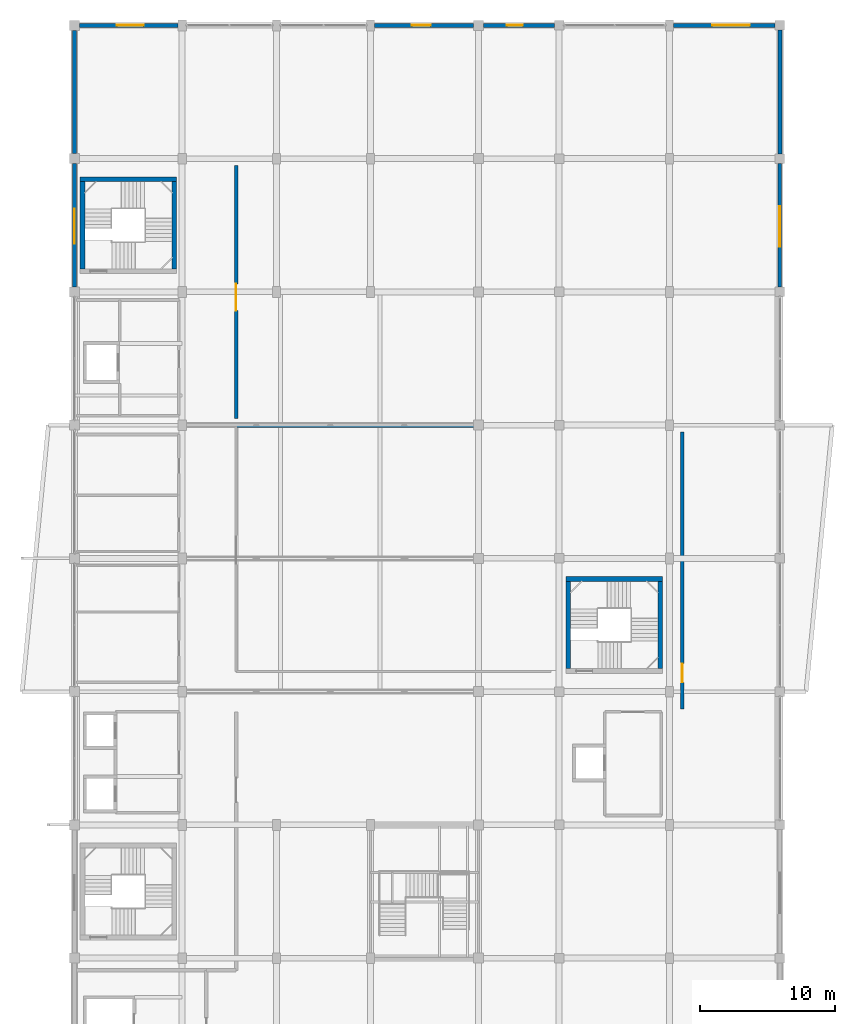
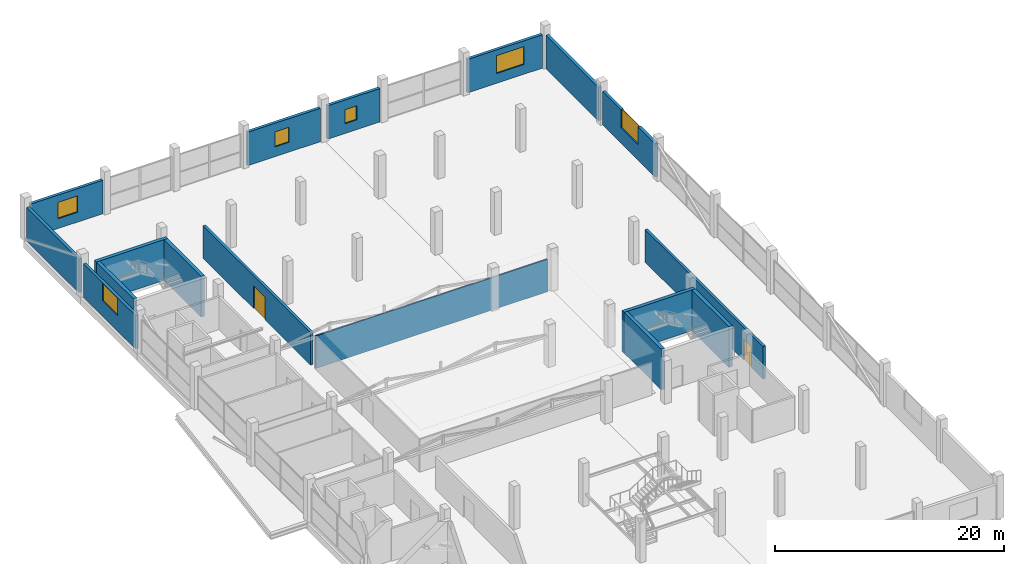
# One storey, part 43 of 58: 17 walls, 6 windows, 2 doors, 8 openings.
"""IFC4 building model written with IfcOpenShell, lengths in metres."""

from ifc_helpers import new_model, si_unit, direction, frame, frame_2d, origin, place, context, subcontext, project, spatial, rectangle, extrude, material, layer, layer_set, type_object, element, fill, save


model = new_model("IFC4")

# Units and contexts
model_context = context("Model", 3, precision=1e-05, world=origin(), true_north=direction((0.0, 1.0)))
body_context = subcontext(model_context, "Body", "Model", "MODEL_VIEW")
ifc_project = project(units=[si_unit("LENGTHUNIT", "METRE"), si_unit("AREAUNIT", "SQUARE_METRE"), si_unit("VOLUMEUNIT", "CUBIC_METRE"), si_unit("PLANEANGLEUNIT", "RADIAN"), si_unit("MASSUNIT", "GRAM", prefix="KILO")], contexts=[model_context])

# Site, building, storey
site_placement = place(None, origin())
site = spatial("IfcSite", under=ifc_project, at=site_placement, CompositionType="ELEMENT")
building_placement = place(site_placement, origin())
building = spatial("IfcBuilding", under=site, at=building_placement, Name="Sillaruma Civic Art Gallery", CompositionType="ELEMENT")
storey_placement = place(building_placement, frame((0.0, 0.0, 28.56005859375)))
storey = spatial("IfcBuildingStorey", under=building, at=storey_placement, Name="L05", CompositionType="ELEMENT", Elevation=28.56005859375)

# Walls
ifc_material_1 = material(Name="Concrete H40 (40 MPa)", Category="concrete")
ifc_layer_1 = layer(ifc_material_1, 0.35009765625, Name="Concrete H40 (40 MPa)")
ifc_layer_set_1 = layer_set([ifc_layer_1], Name="Concrete H40 (40 MPa)")
wall_type_1 = type_object("IfcWallType", Name="WAL-CORE-350", PredefinedType="SHEAR", material=ifc_layer_set_1)
wall_1_placement = place(storey_placement, frame((62.409912109375, 87.56494140625, 0.0), z_axis=(0.0, 0.0, 1.0), x_axis=(1.0, 0.0, 0.0)))
element("IfcWall", 1, at=wall_1_placement, inside=storey, type_object=wall_type_1, Name="Stair Core Shear Wall W-CORE-350 (ST-02:L05:N)", PredefinedType="SHEAR", context=body_context, shape_type="SweptSolid", body=[
    extrude(rectangle(XDim=7.18017578125, YDim=0.35009765625, at=frame_2d((3.590087890625, 0.0))), origin(), (0.0, 0.0, 1.0), 4.349853515625),
])
for number, where, z_axis, x_axis, name in (
    (2, (62.5849609375, 80.909912109375, 0.0), (0.0, 0.0, 1.0), (0.0, 1.0, 0.0), "Stair Core Shear Wall W-CORE-350 (ST-02:L05:W)"),
    (3, (69.4150390625, 80.909912109375, 0.0), (0.0, 0.0, 1.0), (0.0, 1.0, 0.0), "Stair Core Shear Wall W-CORE-350 (ST-02:L05:E)"),
):
    element("IfcWall", number, at=place(storey_placement, frame(where, z_axis=z_axis, x_axis=x_axis)), inside=storey, type_object=wall_type_1, Name=name, PredefinedType="SHEAR", context=body_context, shape_type="SweptSolid", body=[
        extrude(rectangle(XDim=6.47998046875, YDim=0.35009765625, at=frame_2d((3.239990234375, 0.0))), origin(), (0.0, 0.0, 1.0), 4.349853515625),
    ])
wall_2_placement = place(storey_placement, frame((98.510009765625, 57.864990234375, 0.0), z_axis=(0.0, 0.0, 1.0), x_axis=(1.0, 0.0, 0.0)))
element("IfcWall", 4, at=wall_2_placement, inside=storey, type_object=wall_type_1, Name="Stair Core Shear Wall W-CORE-350 (ST-04:L05:N)", PredefinedType="SHEAR", context=body_context, shape_type="SweptSolid", body=[
    extrude(rectangle(XDim=7.179931640625, YDim=0.35009765625, at=frame_2d((3.58984375, 0.0))), origin(), (0.0, 0.0, 1.0), 4.349853515625),
])
for number, where, z_axis, x_axis, name in (
    (5, (98.68505859375, 51.2099609375, 0.0), (0.0, 0.0, 1.0), (0.0, 1.0, 0.0), "Stair Core Shear Wall W-CORE-350 (ST-04:L05:W)"),
    (6, (105.514892578125, 51.2099609375, 0.0), (0.0, 0.0, 1.0), (0.0, 1.0, 0.0), "Stair Core Shear Wall W-CORE-350 (ST-04:L05:E)"),
):
    element("IfcWall", number, at=place(storey_placement, frame(where, z_axis=z_axis, x_axis=x_axis)), inside=storey, type_object=wall_type_1, Name=name, PredefinedType="SHEAR", context=body_context, shape_type="SweptSolid", body=[
        extrude(rectangle(XDim=6.47998046875, YDim=0.35009765625, at=frame_2d((3.239990234375, 0.0))), origin(), (0.0, 0.0, 1.0), 4.349853515625),
    ])

# Wall, opening, window
ifc_material_2 = material(Name="Concrete H35 (35 MPa)", Category="concrete")
ifc_layer_2 = layer(ifc_material_2, 0.159912109375, Name="Concrete backup", Category="concrete")
ifc_material_3 = material(Name="Mineral Wool Thermal Insulation", Category="insulation")
ifc_layer_3 = layer(ifc_material_3, 0.090087890625, Name="Thermal insulation", Category="insulation")
ifc_material_4 = material(Name="Anodised Zinc-Aluminium Alloy", Category="aluminium")
ifc_layer_4 = layer(ifc_material_4, 0.030029296875, Name="Rainscreen finish", Category="aluminium")
ifc_layer_set_2 = layer_set([ifc_layer_2, ifc_layer_3, ifc_layer_4], Name="W-EXT-280")
wall_type_2 = type_object("IfcWallType", Name="WAL-EXT-280", PredefinedType="SOLIDWALL", material=ifc_layer_set_2)
wall_3_placement = place(storey_placement, frame((62.0, 79.574951171875, 0.0), z_axis=(0.0, 0.0, 1.0), x_axis=(0.0, 1.0, 0.0)))
wall_3 = element("IfcWall", 7, at=wall_3_placement, inside=storey, type_object=wall_type_2, Name="Exterior Wall W-EXT-280 (EW-L05-W-7)", PredefinedType="SOLIDWALL", context=body_context, shape_type="SweptSolid", body=[
    extrude(rectangle(XDim=9.150146484375, YDim=0.280029296875, at=frame_2d((4.5751953125, 0.0))), origin(), (0.0, 0.0, 1.0), 3.56982421875),
])
opening_1_placement = place(wall_3_placement, frame((3.199951171875, 0.0, 1.64990234375)))
opening_1 = element("IfcOpeningElement", 8, at=opening_1_placement, cuts=wall_3, Name="Opening WN-08", PredefinedType="OPENING", context=body_context, shape_type="SweptSolid", body=[
    extrude(rectangle(XDim=2.60009765625, YDim=1.85009765625, at=frame_2d((1.300048828125, 0.925048828125))), frame((0.0, 0.14990234375, 0.0), z_axis=(0.0, -1.0, 0.0), x_axis=(1.0, 0.0, 0.0)), (0.0, 0.0, 1.0), 0.300048828125),
])
ifc_material_5 = material(Name="Thermally Broken Extruded Aluminium 6063-T6", Category="aluminium")
window_type_1 = type_object("IfcWindowType", Name="WIN-W08", PartitioningType="SINGLE_PANEL", PredefinedType="WINDOW", material=ifc_material_5)
window_1_placement = place(opening_1_placement, origin())
window_1 = element("IfcWindow", 9, at=window_1_placement, inside=storey, type_object=window_type_1, Name="Window WN-08 (EW-L05-W-7-1)", OverallHeight=1.85009765625, OverallWidth=2.60009765625, PartitioningType="SINGLE_PANEL", PredefinedType="WINDOW", context=body_context, shape_type="SweptSolid", body=[
    extrude(rectangle(XDim=2.60009765625, YDim=1.85009765625, at=frame_2d((1.300048828125, 0.925048828125))), frame((0.0, 0.030029296875, 0.0), z_axis=(0.0, -1.0, 0.0), x_axis=(1.0, 0.0, 0.0)), (0.0, 0.0, 1.0), 0.06005859375),
])
fill(opening_1, window_1)

wall_4_placement = place(storey_placement, frame((114.39990234375, 79.550048828125, 0.0), z_axis=(0.0, 0.0, 1.0), x_axis=(0.0, 1.0, 0.0)))
wall_4 = element("IfcWall", 10, at=wall_4_placement, inside=storey, type_object=wall_type_2, Name="Exterior Wall W-EXT-280 (EW-L05-E-7)", PredefinedType="SOLIDWALL", context=body_context, shape_type="SweptSolid", body=[
    extrude(rectangle(XDim=9.199951171875, YDim=0.280029296875, at=frame_2d((4.60009765625, 0.0))), origin(), (0.0, 0.0, 1.0), 3.56982421875),
])
opening_2_placement = place(wall_4_placement, frame((3.0, 0.0, 1.64990234375)))
opening_2 = element("IfcOpeningElement", 11, at=opening_2_placement, cuts=wall_4, Name="Opening WN-10", PredefinedType="OPENING", context=body_context, shape_type="SweptSolid", body=[
    extrude(rectangle(XDim=3.0, YDim=1.949951171875, at=frame_2d((1.5, 0.97509765625))), frame((0.0, 0.14990234375, 0.0), z_axis=(0.0, -1.0, 0.0), x_axis=(1.0, 0.0, 0.0)), (0.0, 0.0, 1.0), 0.300048828125),
])
window_type_2 = type_object("IfcWindowType", Name="WIN-W10", PartitioningType="SINGLE_PANEL", PredefinedType="WINDOW", material=ifc_material_5)
window_2_placement = place(opening_2_placement, origin())
window_2 = element("IfcWindow", 12, at=window_2_placement, inside=storey, type_object=window_type_2, Name="Window WN-10 (EW-L05-E-7-1)", OverallHeight=1.949951171875, OverallWidth=3.0, PartitioningType="SINGLE_PANEL", PredefinedType="WINDOW", context=body_context, shape_type="SweptSolid", body=[
    extrude(rectangle(XDim=3.0, YDim=1.949951171875, at=frame_2d((1.5, 0.97509765625))), frame((0.0, 0.030029296875, 0.0), z_axis=(0.0, -1.0, 0.0), x_axis=(1.0, 0.0, 0.0)), (0.0, 0.0, 1.0), 0.06005859375),
])
fill(opening_2, window_2)

ifc_layer_5 = layer(ifc_material_2, 0.169921875, Name="Concrete backup", Category="concrete")
ifc_layer_6 = layer(ifc_material_3, 0.090087890625, Name="Thermal insulation", Category="insulation")
ifc_layer_7 = layer(ifc_material_4, 0.030029296875, Name="Rainscreen finish", Category="aluminium")
ifc_layer_set_3 = layer_set([ifc_layer_5, ifc_layer_6, ifc_layer_7], Name="W-EXT-290")
wall_type_3 = type_object("IfcWallType", Name="WAL-EXT-290", PredefinedType="SOLIDWALL", material=ifc_layer_set_3)
wall_5_placement = place(storey_placement, frame((62.375, 99.0, 0.0), z_axis=(0.0, 0.0, 1.0), x_axis=(1.0, 0.0, 0.0)))
wall_5 = element("IfcWall", 13, at=wall_5_placement, inside=storey, type_object=wall_type_3, Name="Exterior Wall W-EXT-290 (EW-L05-N-1)", PredefinedType="SOLIDWALL", context=body_context, shape_type="SweptSolid", body=[
    extrude(rectangle(XDim=7.324951171875, YDim=0.2900390625, at=frame_2d((3.66259765625, 0.0))), origin(), (0.0, 0.0, 1.0), 3.56982421875),
])
opening_3_placement = place(wall_5_placement, frame((2.762939453125, 0.0, 1.050048828125)))
opening_3 = element("IfcOpeningElement", 14, at=opening_3_placement, cuts=wall_5, Name="Opening WN-03", PredefinedType="OPENING", context=body_context, shape_type="SweptSolid", body=[
    extrude(rectangle(XDim=2.0, YDim=1.75, at=frame_2d((1.0, 0.875))), frame((0.0, 0.155029296875, 0.0), z_axis=(0.0, -1.0, 0.0), x_axis=(1.0, 0.0, 0.0)), (0.0, 0.0, 1.0), 0.31005859375),
])
window_type_3 = type_object("IfcWindowType", Name="WIN-W03", PartitioningType="SINGLE_PANEL", PredefinedType="WINDOW", material=ifc_material_5)
window_3_placement = place(opening_3_placement, origin())
window_3 = element("IfcWindow", 15, at=window_3_placement, inside=storey, type_object=window_type_3, Name="Window WN-03 (EW-L05-N-1-1)", OverallHeight=1.75, OverallWidth=2.0, PartitioningType="SINGLE_PANEL", PredefinedType="WINDOW", context=body_context, shape_type="SweptSolid", body=[
    extrude(rectangle(XDim=2.0, YDim=1.75, at=frame_2d((1.0, 0.875))), frame((0.0, 0.030029296875, 0.0), z_axis=(0.0, -1.0, 0.0), x_axis=(1.0, 0.0, 0.0)), (0.0, 0.0, 1.0), 0.06005859375),
])
fill(opening_3, window_3)

wall_6_placement = place(storey_placement, frame((84.300048828125, 99.0, 0.0), z_axis=(0.0, 0.0, 1.0), x_axis=(1.0, 0.0, 0.0)))
wall_6 = element("IfcWall", 16, at=wall_6_placement, inside=storey, type_object=wall_type_3, Name="Exterior Wall W-EXT-290 (EW-L05-N-4)", PredefinedType="SOLIDWALL", context=body_context, shape_type="SweptSolid", body=[
    extrude(rectangle(XDim=7.324951171875, YDim=0.2900390625, at=frame_2d((3.66259765625, 0.0))), origin(), (0.0, 0.0, 1.0), 3.56982421875),
])
opening_4_placement = place(wall_6_placement, frame((2.762939453125, 0.0, 1.050048828125)))
opening_4 = element("IfcOpeningElement", 17, at=opening_4_placement, cuts=wall_6, Name="Opening WN-06", PredefinedType="OPENING", context=body_context, shape_type="SweptSolid", body=[
    extrude(rectangle(XDim=1.39990234375, YDim=1.60009765625, at=frame_2d((0.699951171875, 0.800048828125))), frame((0.0, 0.155029296875, 0.0), z_axis=(0.0, -1.0, 0.0), x_axis=(1.0, 0.0, 0.0)), (0.0, 0.0, 1.0), 0.31005859375),
])
window_type_4 = type_object("IfcWindowType", Name="WIN-W06", PartitioningType="SINGLE_PANEL", PredefinedType="WINDOW", material=ifc_material_5)
window_4_placement = place(opening_4_placement, origin())
window_4 = element("IfcWindow", 18, at=window_4_placement, inside=storey, type_object=window_type_4, Name="Window WN-06 (EW-L05-N-4-1)", OverallHeight=1.60009765625, OverallWidth=1.39990234375, PartitioningType="SINGLE_PANEL", PredefinedType="WINDOW", context=body_context, shape_type="SweptSolid", body=[
    extrude(rectangle(XDim=1.39990234375, YDim=1.60009765625, at=frame_2d((0.699951171875, 0.800048828125))), frame((0.0, 0.030029296875, 0.0), z_axis=(0.0, -1.0, 0.0), x_axis=(1.0, 0.0, 0.0)), (0.0, 0.0, 1.0), 0.06005859375),
])
fill(opening_4, window_4)

wall_7_placement = place(storey_placement, frame((92.375, 99.0, 0.0), z_axis=(0.0, 0.0, 1.0), x_axis=(1.0, 0.0, 0.0)))
wall_7 = element("IfcWall", 19, at=wall_7_placement, inside=storey, type_object=wall_type_3, Name="Exterior Wall W-EXT-290 (EW-L05-N-5)", PredefinedType="SOLIDWALL", context=body_context, shape_type="SweptSolid", body=[
    extrude(rectangle(XDim=5.27490234375, YDim=0.2900390625, at=frame_2d((2.637451171875, 0.0))), origin(), (0.0, 0.0, 1.0), 3.56982421875),
])
opening_5_placement = place(wall_7_placement, frame((1.738037109375, 0.0, 1.050048828125)))
opening_5 = element("IfcOpeningElement", 20, at=opening_5_placement, cuts=wall_7, Name="Opening WN-07", PredefinedType="OPENING", context=body_context, shape_type="SweptSolid", body=[
    extrude(rectangle(XDim=1.199951171875, YDim=1.5, at=frame_2d((0.60009765625, 0.75))), frame((0.0, 0.155029296875, 0.0), z_axis=(0.0, -1.0, 0.0), x_axis=(1.0, 0.0, 0.0)), (0.0, 0.0, 1.0), 0.31005859375),
])
window_type_5 = type_object("IfcWindowType", Name="WIN-W07", PartitioningType="SINGLE_PANEL", PredefinedType="WINDOW", material=ifc_material_5)
window_5_placement = place(opening_5_placement, origin())
window_5 = element("IfcWindow", 21, at=window_5_placement, inside=storey, type_object=window_type_5, Name="Window WN-07 (EW-L05-N-5-1)", OverallHeight=1.5, OverallWidth=1.199951171875, PartitioningType="SINGLE_PANEL", PredefinedType="WINDOW", context=body_context, shape_type="SweptSolid", body=[
    extrude(rectangle(XDim=1.199951171875, YDim=1.5, at=frame_2d((0.60009765625, 0.75))), frame((0.0, 0.030029296875, 0.0), z_axis=(0.0, -1.0, 0.0), x_axis=(1.0, 0.0, 0.0)), (0.0, 0.0, 1.0), 0.06005859375),
])
fill(opening_5, window_5)

wall_8_placement = place(storey_placement, frame((106.5, 99.0, 0.0), z_axis=(0.0, 0.0, 1.0), x_axis=(1.0, 0.0, 0.0)))
wall_8 = element("IfcWall", 22, at=wall_8_placement, inside=storey, type_object=wall_type_3, Name="Exterior Wall W-EXT-290 (EW-L05-N-7)", PredefinedType="SOLIDWALL", context=body_context, shape_type="SweptSolid", body=[
    extrude(rectangle(XDim=7.550048828125, YDim=0.2900390625, at=frame_2d((3.77490234375, 0.0))), origin(), (0.0, 0.0, 1.0), 3.56982421875),
])
opening_6_placement = place(wall_8_placement, frame((2.875, 0.0, 1.050048828125)))
opening_6 = element("IfcOpeningElement", 23, at=opening_6_placement, cuts=wall_8, Name="Opening WN-09", PredefinedType="OPENING", context=body_context, shape_type="SweptSolid", body=[
    extrude(rectangle(XDim=2.800048828125, YDim=1.89990234375, at=frame_2d((1.39990234375, 0.949951171875))), frame((0.0, 0.155029296875, 0.0), z_axis=(0.0, -1.0, 0.0), x_axis=(1.0, 0.0, 0.0)), (0.0, 0.0, 1.0), 0.31005859375),
])
window_type_6 = type_object("IfcWindowType", Name="WIN-W09", PartitioningType="SINGLE_PANEL", PredefinedType="WINDOW", material=ifc_material_5)
window_6_placement = place(opening_6_placement, origin())
window_6 = element("IfcWindow", 24, at=window_6_placement, inside=storey, type_object=window_type_6, Name="Window WN-09 (EW-L05-N-7-1)", OverallHeight=1.89990234375, OverallWidth=2.800048828125, PartitioningType="SINGLE_PANEL", PredefinedType="WINDOW", context=body_context, shape_type="SweptSolid", body=[
    extrude(rectangle(XDim=2.800048828125, YDim=1.89990234375, at=frame_2d((1.39990234375, 0.949951171875))), frame((0.0, 0.030029296875, 0.0), z_axis=(0.0, -1.0, 0.0), x_axis=(1.0, 0.0, 0.0)), (0.0, 0.0, 1.0), 0.06005859375),
])
fill(opening_6, window_6)

# Walls
ifc_material_6 = material(Name="Precast Concrete H35 (35 MPa)", Category="concrete")
ifc_layer_8 = layer(ifc_material_6, 0.179931640625, Name="Precast backup", Category="concrete")
ifc_layer_9 = layer(ifc_material_3, 0.090087890625, Name="Thermal insulation", Category="insulation")
ifc_material_7 = material(Name="Comanche Granitic Ashlar Stone", Category="masonry")
ifc_layer_10 = layer(ifc_material_7, 0.030029296875, Name="Rainscreen cladding", Category="masonry")
ifc_layer_set_4 = layer_set([ifc_layer_8, ifc_layer_9, ifc_layer_10], Name="W-EXT-300")
wall_type_4 = type_object("IfcWallType", Name="WAL-EXT-300", PredefinedType="SOLIDWALL", material=ifc_layer_set_4)
wall_9_placement = place(storey_placement, frame((62.0, 89.47509765625, 0.0), z_axis=(0.0, 0.0, 1.0), x_axis=(0.0, 1.0, 0.0)))
element("IfcWall", 25, at=wall_9_placement, inside=storey, type_object=wall_type_4, Name="Exterior Wall W-EXT-300 (EW-L05-W-8)", PredefinedType="SOLIDWALL", context=body_context, shape_type="SweptSolid", body=[
    extrude(rectangle(XDim=9.14990234375, YDim=0.300048828125, at=frame_2d((4.574951171875, 0.0))), origin(), (0.0, 0.0, 1.0), 3.56982421875),
])
wall_10_placement = place(storey_placement, frame((114.39990234375, 89.449951171875, 0.0), z_axis=(0.0, 0.0, 1.0), x_axis=(0.0, 1.0, 0.0)))
element("IfcWall", 26, at=wall_10_placement, inside=storey, type_object=wall_type_4, Name="Exterior Wall W-EXT-300 (EW-L05-E-8)", PredefinedType="SOLIDWALL", context=body_context, shape_type="SweptSolid", body=[
    extrude(rectangle(XDim=9.199951171875, YDim=0.300048828125, at=frame_2d((4.60009765625, 0.0))), origin(), (0.0, 0.0, 1.0), 3.56982421875),
])
ifc_material_8 = material(Name="Gypsum Acoustic Board", Category="gypsum")
ifc_layer_11 = layer(ifc_material_8, 0.02490234375, Name="Finish board", Category="gypsum")
ifc_layer_12 = layer(ifc_material_3, 0.090087890625, Name="Acoustic core", Category="insulation")
ifc_material_9 = material(Name="Andean Oak Timber", Category="wood")
ifc_layer_13 = layer(ifc_material_9, 0.02490234375, Name="Gallery lining", Category="wood")
ifc_layer_set_5 = layer_set([ifc_layer_11, ifc_layer_12, ifc_layer_13], Name="W-PT-140")
wall_type_5 = type_object("IfcWallType", Name="WAL-PART-140", PredefinedType="PARTITIONING", material=ifc_layer_set_5)
wall_11_placement = place(storey_placement, frame((74.0, 69.199951171875, 0.0), z_axis=(0.0, 0.0, 1.0), x_axis=(1.0, 0.0, 0.0)))
element("IfcWall", 27, at=wall_11_placement, inside=storey, type_object=wall_type_5, Name="Interior Wall W-PT-140 (L05-GAL51)", PredefinedType="PARTITIONING", context=body_context, shape_type="SweptSolid", body=[
    extrude(rectangle(XDim=23.39990234375, YDim=0.139892578125, at=frame_2d((11.699951171875, 0.0))), origin(), (0.0, 0.0, 1.0), 3.469970703125),
])

# Wall, opening, door
ifc_material_10 = material(Name="Concrete Masonry Unit Grade M15", Category="masonry")
ifc_layer_14 = layer(ifc_material_10, 0.2548828125, Name="Concrete Masonry Unit Grade M15")
ifc_layer_set_6 = layer_set([ifc_layer_14], Name="Concrete Masonry Unit Grade M15")
wall_type_6 = type_object("IfcWallType", Name="WAL-STORE-250", PredefinedType="SOLIDWALL", material=ifc_layer_set_6)
wall_12_placement = place(storey_placement, frame((74.0, 69.800048828125, 0.0), z_axis=(0.0, 0.0, 1.0), x_axis=(0.0, 1.0, 0.0)))
wall_12 = element("IfcWall", 28, at=wall_12_placement, inside=storey, type_object=wall_type_6, Name="Interior Wall W-STORE-250 (L05-STR51)", PredefinedType="SOLIDWALL", context=body_context, shape_type="SweptSolid", body=[
    extrude(rectangle(XDim=18.800048828125, YDim=0.2548828125, at=frame_2d((9.39990234375, 0.0))), origin(), (0.0, 0.0, 1.0), 3.469970703125),
])
opening_7_placement = place(wall_12_placement, frame((8.0, 0.0, 0.0)))
opening_7 = element("IfcOpeningElement", 29, at=opening_7_placement, cuts=wall_12, Name="Opening D-STORE", PredefinedType="OPENING", context=body_context, shape_type="SweptSolid", body=[
    extrude(rectangle(XDim=2.0, YDim=2.39990234375, at=frame_2d((1.0, 1.199951171875))), frame((0.0, 0.137451171875, 0.0), z_axis=(0.0, -1.0, 0.0), x_axis=(1.0, 0.0, 0.0)), (0.0, 0.0, 1.0), 0.27490234375),
])
ifc_material_11 = material(Name="Galvanised Steel ASTM A653 Gr.50", Category="steel")
door_type_1 = type_object("IfcDoorType", Name="DOR-STORE-200", OperationType="NOTDEFINED", PredefinedType="DOOR", material=ifc_material_11)
door_1_placement = place(opening_7_placement, origin())
door_1 = element("IfcDoor", 30, at=door_1_placement, inside=storey, type_object=door_type_1, Name="North Climate-Controlled Art Store Door (D-STORE)", OperationType="DOUBLE_DOOR_SINGLE_SWING", OverallHeight=2.39990234375, OverallWidth=2.0, PredefinedType="DOOR", context=body_context, shape_type="SweptSolid", body=[
    extrude(rectangle(XDim=2.0, YDim=2.39990234375, at=frame_2d((1.0, 1.199951171875))), frame((0.0, 0.02490234375, 0.0), z_axis=(0.0, -1.0, 0.0), x_axis=(1.0, 0.0, 0.0)), (0.0, 0.0, 1.0), 0.050048828125),
])
fill(opening_7, door_1)

wall_13_placement = place(storey_placement, frame((107.14990234375, 48.199951171875, 0.0), z_axis=(0.0, 0.0, 1.0), x_axis=(0.0, 1.0, 0.0)))
wall_13 = element("IfcWall", 31, at=wall_13_placement, inside=storey, type_object=wall_type_6, Name="Interior Wall W-STORE-250 (L05-STR53)", PredefinedType="SOLIDWALL", context=body_context, shape_type="SweptSolid", body=[
    extrude(rectangle(XDim=20.60009765625, YDim=0.2548828125, at=frame_2d((10.300048828125, 0.0))), origin(), (0.0, 0.0, 1.0), 3.469970703125),
])
opening_8_placement = place(wall_13_placement, frame((1.989990234375, 0.0, 0.0)))
opening_8 = element("IfcOpeningElement", 32, at=opening_8_placement, cuts=wall_13, Name="Opening D-STR14", PredefinedType="OPENING", context=body_context, shape_type="SweptSolid", body=[
    extrude(rectangle(XDim=1.39990234375, YDim=2.25, at=frame_2d((0.699951171875, 1.125))), frame((0.0, 0.137451171875, 0.0), z_axis=(0.0, -1.0, 0.0), x_axis=(1.0, 0.0, 0.0)), (0.0, 0.0, 1.0), 0.27490234375),
])
door_type_2 = type_object("IfcDoorType", Name="DOR-STORE-140", OperationType="NOTDEFINED", PredefinedType="DOOR", material=ifc_material_11)
door_2_placement = place(opening_8_placement, origin())
door_2 = element("IfcDoor", 33, at=door_2_placement, inside=storey, type_object=door_type_2, Name="East Wing Compact Art Store Door (D-STR14)", OperationType="SINGLE_SWING_RIGHT", OverallHeight=2.25, OverallWidth=1.39990234375, PredefinedType="DOOR", context=body_context, shape_type="SweptSolid", body=[
    extrude(rectangle(XDim=1.39990234375, YDim=2.25, at=frame_2d((0.699951171875, 1.125))), frame((0.0, 0.02490234375, 0.0), z_axis=(0.0, -1.0, 0.0), x_axis=(1.0, 0.0, 0.0)), (0.0, 0.0, 1.0), 0.050048828125),
])
fill(opening_8, door_2)

save(model, "model.ifc")
